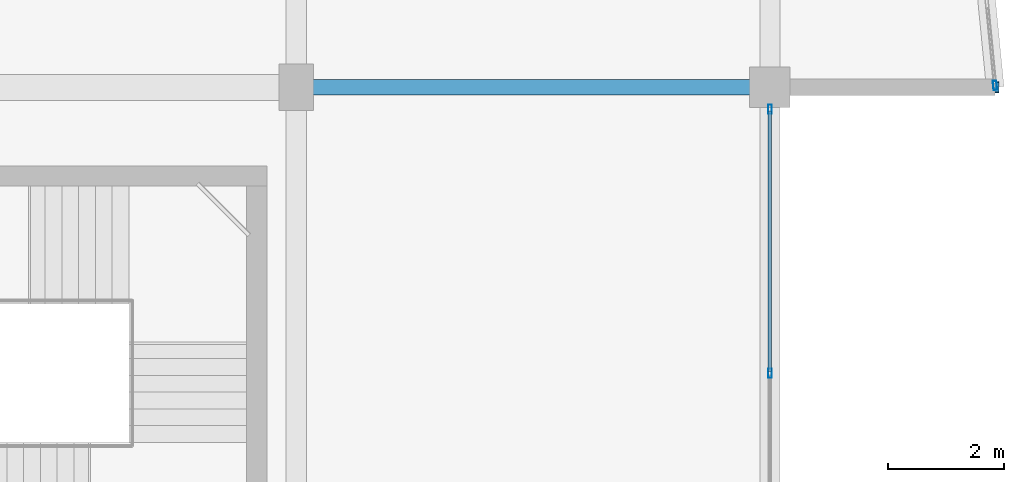
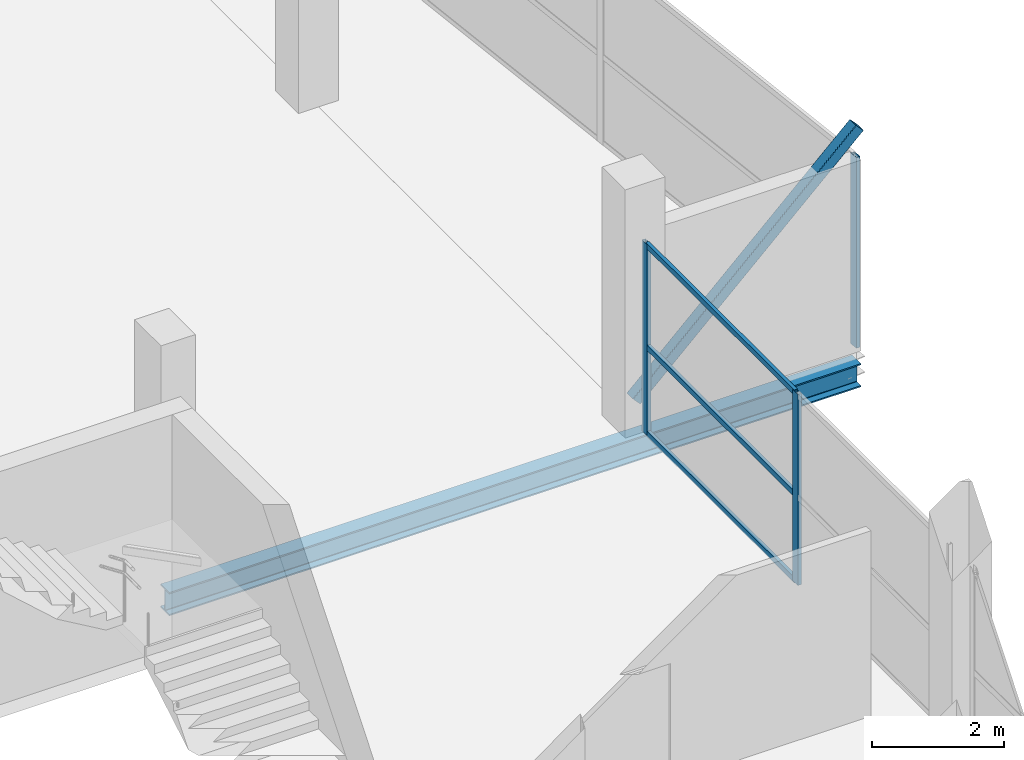
# One storey, part 26 of 55: 7 members, 1 beam, 2 elements without a shape of their own.
"""IFC4 building model written with IfcOpenShell, lengths in metres."""

from ifc_helpers import new_model, si_unit, direction, frame, origin, origin_2d, place, context, subcontext, project, spatial, hollow_rectangle, i_section, extrude, material, layer, layer_set, material_profile, profile_set, type_object, element, aggregate, save


model = new_model("IFC4")

# Units and contexts
model_context = context("Model", 3, precision=1e-05, world=origin(), true_north=direction((0.0, 1.0)))
body_context = subcontext(model_context, "Body", "Model", "MODEL_VIEW")
ifc_project = project(units=[si_unit("LENGTHUNIT", "METRE"), si_unit("AREAUNIT", "SQUARE_METRE"), si_unit("VOLUMEUNIT", "CUBIC_METRE"), si_unit("PLANEANGLEUNIT", "RADIAN"), si_unit("MASSUNIT", "GRAM", prefix="KILO")], contexts=[model_context])

# Site, building, storey
site_placement = place(None, origin())
site = spatial("IfcSite", under=ifc_project, at=site_placement, CompositionType="ELEMENT")
building_placement = place(site_placement, origin())
building = spatial("IfcBuilding", under=site, at=building_placement, Name="Sillaruma Civic Art Gallery", CompositionType="ELEMENT")
storey_placement = place(building_placement, frame((0.0, 0.0, 37.739990234375)))
storey = spatial("IfcBuildingStorey", under=building, at=storey_placement, Name="L07", CompositionType="ELEMENT", Elevation=37.739990234375)

# Beam
ifc_material_1 = material(Name="Structural Steel ASTM A992 Gr.50", Category="steel")
ifc_material_profile_1 = material_profile(ifc_material_1, i_section(OverallWidth=0.264892578125, OverallDepth=0.430908203125, WebThickness=0.014892578125, FlangeThickness=0.02490234375, FilletRadius=0.012939453125, at=origin_2d()), Name="W410x149")
ifc_profile_set_1 = profile_set([ifc_material_profile_1], Name="Structural Steel ASTM A992 Gr.50")
beam_type = type_object("IfcBeamType", Name="BM-PROW-W410x149", PredefinedType="BEAM", material=ifc_profile_set_1)
beam_placement = place(storey_placement, frame((106.199951171875, 59.39990234375, -0.45556640625), z_axis=(1.0, 0.0, 0.0), x_axis=(0.0, 1.0, 0.0)))
element("IfcBeam", 1, at=beam_placement, inside=storey, type_object=beam_type, Name="Back-Spanned Prow Beam (PRW-L07-E-FLR-S)", PredefinedType="BEAM", context=body_context, shape_type="SweptSolid", body=[
    extrude(i_section(OverallWidth=0.264892578125, OverallDepth=0.430908203125, WebThickness=0.014892578125, FlangeThickness=0.02490234375, FilletRadius=0.012939453125, at=origin_2d()), origin(), (0.0, 0.0, 1.0), 12.10009765625),
])

# Curtain wall, members
ifc_material_2 = material(Name="Thermally Broken Extruded Aluminium 6063-T6", Category="aluminium")
ifc_layer_1 = layer(ifc_material_2, 0.159912109375, Name="Thermally Broken Extruded Aluminium 6063-T6")
ifc_layer_set_1 = layer_set([ifc_layer_1], Name="Thermally Broken Extruded Aluminium 6063-T6")
curtain_wall_type_1 = type_object("IfcCurtainWallType", Name="CW-UNI-47", PredefinedType="NOTDEFINED", material=ifc_layer_set_1)
curtain_wall_1_placement = place(storey_placement, origin())
curtain_wall_1 = element("IfcCurtainWall", 2, at=curtain_wall_1_placement, inside=storey, type_object=curtain_wall_type_1, Name="Unitised Curtain Wall CW-47 (CW-L07-E-4)", PredefinedType="NOTDEFINED")
ifc_material_profile_2 = material_profile(ifc_material_2, hollow_rectangle(XDim=0.06494140625, YDim=0.159912109375, WallThickness=0.00390625, at=origin_2d()), Name="CWM65x160")
ifc_profile_set_2 = profile_set([ifc_material_profile_2], Name="Thermally Broken Extruded Aluminium 6063-T6")
member_type_1 = type_object("IfcMemberType", Name="MEM-MUL-CWM65x160", PredefinedType="MULLION", material=ifc_profile_set_2)
member_1_placement = place(storey_placement, frame((114.39990234375, 54.449951171875, 0.0), z_axis=(0.0, 0.0, 1.0), x_axis=(-1.0, 0.0, 0.0)))
member_1 = element("IfcMember", 3, at=member_1_placement, type_object=member_type_1, Name="CW-47 mullion 2", PredefinedType="MULLION", context=body_context, shape_type="SweptSolid", body=[
    extrude(hollow_rectangle(XDim=0.06494140625, YDim=0.159912109375, WallThickness=0.00390625, at=origin_2d()), origin(), (0.0, 0.0, 1.0), 3.530029296875),
])
member_2_placement = place(storey_placement, frame((114.39990234375, 59.017578125, 0.0), z_axis=(0.0, 0.0, 1.0), x_axis=(-1.0, 0.0, 0.0)))
member_2 = element("IfcMember", 4, at=member_2_placement, type_object=member_type_1, Name="CW-47 mullion 3", PredefinedType="MULLION", context=body_context, shape_type="SweptSolid", body=[
    extrude(hollow_rectangle(XDim=0.06494140625, YDim=0.159912109375, WallThickness=0.00390625, at=origin_2d()), origin(), (0.0, 0.0, 1.0), 3.530029296875),
])

# Curtain wall, member
ifc_layer_2 = layer(ifc_material_2, 0.159912109375, Name="Thermally Broken Extruded Aluminium 6063-T6")
ifc_layer_set_2 = layer_set([ifc_layer_2], Name="Thermally Broken Extruded Aluminium 6063-T6")
curtain_wall_type_2 = type_object("IfcCurtainWallType", Name="CW-UNI-49", PredefinedType="NOTDEFINED", material=ifc_layer_set_2)
curtain_wall_2_placement = place(storey_placement, origin())
curtain_wall_2 = element("IfcCurtainWall", 5, at=curtain_wall_2_placement, inside=storey, type_object=curtain_wall_type_2, Name="Unitised Curtain Wall CW-49 (CW-PRW-L07-E-ANG)", PredefinedType="NOTDEFINED")
member_3_placement = place(storey_placement, frame((118.296875, 59.432373046875, 0.0), z_axis=(0.0, 0.0, 1.0), x_axis=(-0.99518536297, -0.098010679679, 0.0)))
member_3 = element("IfcMember", 6, at=member_3_placement, type_object=member_type_1, Name="CW-49 mullion 1", PredefinedType="MULLION", context=body_context, shape_type="SweptSolid", body=[
    extrude(hollow_rectangle(XDim=0.06494140625, YDim=0.159912109375, WallThickness=0.00390625, at=origin_2d()), origin(), (0.0, 0.0, 1.0), 3.530029296875),
])
aggregate(curtain_wall_2, [member_3])

# Member
ifc_material_3 = material(Name="Structural Steel ASTM A500 Gr.C", Category="steel")
ifc_material_profile_3 = material_profile(ifc_material_3, hollow_rectangle(XDim=0.199951171875, YDim=0.199951171875, WallThickness=0.010009765625, InnerFilletRadius=0.010009765625, OuterFilletRadius=0.02001953125, at=origin_2d()), Name="HSS200x200x10")
ifc_profile_set_3 = profile_set([ifc_material_profile_3], Name="Structural Steel ASTM A500 Gr.C")
member_type_2 = type_object("IfcMemberType", Name="MEM-PROW-BRACE", PredefinedType="BRACE", material=ifc_profile_set_3)
member_4_placement = place(storey_placement, frame((114.39990234375, 59.39990234375, 0.39990234375), z_axis=(0.725980149215, 0.0, 0.687715655591), x_axis=(0.0, 1.0, 0.0)))
element("IfcMember", 7, at=member_4_placement, inside=storey, type_object=member_type_2, Name="Deconstructivist Prow Diagonal Brace (PRW-L07-E-ROF-S)", PredefinedType="BRACE", context=body_context, shape_type="SweptSolid", body=[
    extrude(hollow_rectangle(XDim=0.199951171875, YDim=0.199951171875, WallThickness=0.010009765625, InnerFilletRadius=0.010009765625, OuterFilletRadius=0.02001953125, at=origin_2d()), origin(), (0.0, 0.0, 1.0), 5.372314453125),
])

ifc_material_profile_4 = material_profile(ifc_material_2, hollow_rectangle(XDim=0.06005859375, YDim=0.10009765625, WallThickness=0.003173828125, at=origin_2d()), Name="CWT60x100")
ifc_profile_set_4 = profile_set([ifc_material_profile_4], Name="Thermally Broken Extruded Aluminium 6063-T6")
member_type_3 = type_object("IfcMemberType", Name="MEM-TRN-CWT60x100", PredefinedType="USERDEFINED", material=ifc_profile_set_4)
member_5_placement = place(storey_placement, frame((114.39990234375, 54.482421875, 0.030029296875), z_axis=(0.0, 1.0, 0.0), x_axis=(-1.0, 0.0, 0.0)))
member_5 = element("IfcMember", 8, at=member_5_placement, type_object=member_type_3, Name="CW-47 transom 2.1", ObjectType="TRANSOM", PredefinedType="USERDEFINED", context=body_context, shape_type="SweptSolid", body=[
    extrude(hollow_rectangle(XDim=0.06005859375, YDim=0.10009765625, WallThickness=0.003173828125, at=origin_2d()), origin(), (0.0, 0.0, 1.0), 4.502685546875),
])

member_6_placement = place(storey_placement, frame((114.39990234375, 54.482421875, 1.623779296875), z_axis=(0.0, 1.0, 0.0), x_axis=(-1.0, 0.0, 0.0)))
member_6 = element("IfcMember", 9, at=member_6_placement, type_object=member_type_3, Name="CW-47 transom 2.2", ObjectType="TRANSOM", PredefinedType="USERDEFINED", context=body_context, shape_type="SweptSolid", body=[
    extrude(hollow_rectangle(XDim=0.06005859375, YDim=0.10009765625, WallThickness=0.003173828125, at=origin_2d()), origin(), (0.0, 0.0, 1.0), 4.502685546875),
])

member_7_placement = place(storey_placement, frame((114.39990234375, 54.482421875, 3.5), z_axis=(0.0, 1.0, 0.0), x_axis=(-1.0, 0.0, 0.0)))
member_7 = element("IfcMember", 10, at=member_7_placement, type_object=member_type_3, Name="CW-47 transom 2.3", ObjectType="TRANSOM", PredefinedType="USERDEFINED", context=body_context, shape_type="SweptSolid", body=[
    extrude(hollow_rectangle(XDim=0.06005859375, YDim=0.10009765625, WallThickness=0.003173828125, at=origin_2d()), origin(), (0.0, 0.0, 1.0), 4.502685546875),
])

aggregate(curtain_wall_1, [member_1, member_2, member_5, member_6, member_7])

save(model, "model.ifc")
